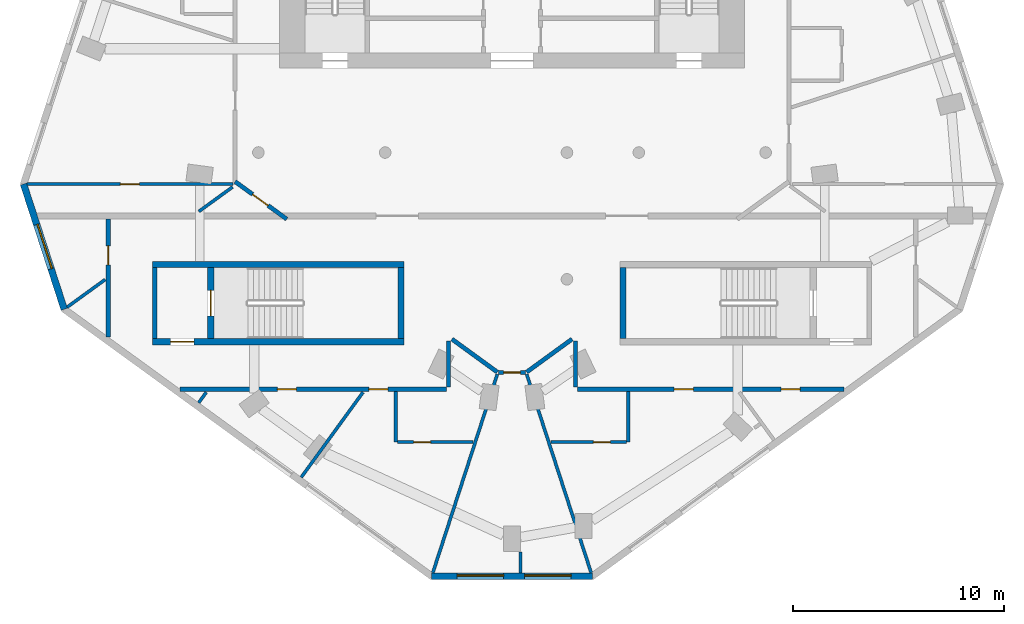
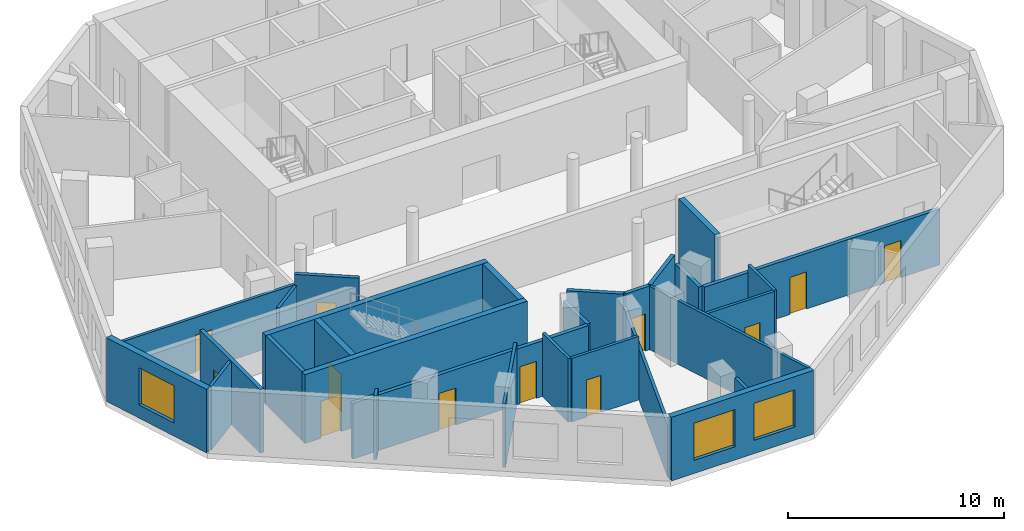
# One storey, part 2 of 8: 29 walls, 12 doors, 3 windows, 15 openings.
"""IFC4 building model written with IfcOpenShell, lengths in metres."""

from ifc_helpers import new_model, si_unit, direction, frame, frame_2d, origin, place, context, subcontext, project, spatial, rectangle, extrude, material, layer, layer_set, type_object, element, fill, save


model = new_model("IFC4")

# Units and contexts
model_context = context("Model", 3, precision=1e-05, world=origin(), true_north=direction((0.0, 1.0)))
body_context = subcontext(model_context, "Body", "Model", "MODEL_VIEW")
ifc_project = project(units=[si_unit("LENGTHUNIT", "METRE"), si_unit("AREAUNIT", "SQUARE_METRE"), si_unit("VOLUMEUNIT", "CUBIC_METRE"), si_unit("PLANEANGLEUNIT", "RADIAN"), si_unit("MASSUNIT", "GRAM", prefix="KILO")], contexts=[model_context])

# Site, building, storey
site_placement = place(None, origin())
site = spatial("IfcSite", under=ifc_project, at=site_placement, CompositionType="ELEMENT")
building_placement = place(site_placement, origin())
building = spatial("IfcBuilding", under=site, at=building_placement, Name="White Candle Pilgrim Tower", CompositionType="ELEMENT")
storey_placement = place(building_placement, frame((0.0, 0.0, 275.60009765625)))
storey = spatial("IfcBuildingStorey", under=building, at=storey_placement, Name="L65", CompositionType="ELEMENT", Elevation=275.60009765625)

# Wall
ifc_material_1 = material(Name="Concrete C50/60", Category="concrete")
ifc_layer_1 = layer(ifc_material_1, 0.199951171875)
ifc_layer_set_1 = layer_set([ifc_layer_1], Name="Core wall 200 mm Concrete C50/60")
wall_type_1 = type_object("IfcWallType", Name="Core wall 200 mm Concrete C50/60", PredefinedType="SHEAR", material=ifc_layer_set_1)
wall_1_placement = place(storey_placement, frame((53.10009765625, 58.199951171875, 0.0), z_axis=(0.0, 0.0, 1.0), x_axis=(0.0, 1.0, 0.0)))
element("IfcWall", 1, at=wall_1_placement, inside=storey, type_object=wall_type_1, Name="WL-L65-C03", PredefinedType="SHEAR", context=body_context, shape_type="SweptSolid", body=[
    extrude(rectangle(XDim=3.35009765625, YDim=0.199951171875, at=frame_2d((1.675048828125, 0.0))), origin(), (0.0, 0.0, 1.0), 3.89990234375),
])

# Wall, opening, door
ifc_material_2 = material(Name="Gypsum board on steel studs", Category="steel")
ifc_layer_2 = layer(ifc_material_2, 0.199951171875)
ifc_layer_set_2 = layer_set([ifc_layer_2], Name="Corridor wall 200 mm EI 45")
wall_type_2 = type_object("IfcWallType", Name="Corridor wall 200 mm EI 45", PredefinedType="PARTITIONING", material=ifc_layer_set_2)
wall_2_placement = place(storey_placement, frame((59.342041015625, 63.85009765625, 0.0), z_axis=(0.0, 0.0, 1.0), x_axis=(-0.809040258859, 0.587753230144, 0.0)))
wall_2 = element("IfcWall", 2, at=wall_2_placement, inside=storey, type_object=wall_type_2, Name="WL-L65-P002", PredefinedType="PARTITIONING", context=body_context, shape_type="SweptSolid", body=[
    extrude(rectangle(XDim=3.0185546875, YDim=0.199951171875, at=frame_2d((1.50927734375, 0.0))), origin(), (0.0, 0.0, 1.0), 3.599853515625),
])
opening_1_placement = place(wall_2_placement, frame((1.092041015625, 0.0, 0.0)))
opening_1 = element("IfcOpeningElement", 3, at=opening_1_placement, cuts=wall_2, Name="Opening T20-123", PredefinedType="OPENING", context=body_context, shape_type="SweptSolid", body=[
    extrude(rectangle(XDim=0.89990234375, YDim=2.10009765625, at=frame_2d((0.449951171875, 1.050048828125))), frame((0.0, 0.10986328125, 0.0), z_axis=(0.0, -1.0, 0.0), x_axis=(1.0, 0.0, 0.0)), (0.0, 0.0, 1.0), 0.219970703125),
])
ifc_material_3 = material(Name="Steel door leaf", Category="steel")
door_type_1 = type_object("IfcDoorType", Name="Fire door 900 x 2100 EI 30", OperationType="NOTDEFINED", PredefinedType="DOOR", material=ifc_material_3)
door_1_placement = place(opening_1_placement, origin())
door_1 = element("IfcDoor", 4, at=door_1_placement, inside=storey, type_object=door_type_1, Name="Door T20-123", OperationType="SINGLE_SWING_LEFT", OverallHeight=2.10009765625, OverallWidth=0.89990234375, PredefinedType="DOOR", context=body_context, shape_type="SweptSolid", body=[
    extrude(rectangle(XDim=0.89990234375, YDim=2.10009765625, at=frame_2d((0.449951171875, 1.050048828125))), frame((0.0, 0.02490234375, 0.0), z_axis=(0.0, -1.0, 0.0), x_axis=(1.0, 0.0, 0.0)), (0.0, 0.0, 1.0), 0.050048828125),
])
fill(opening_1, door_1)

# Wall, openings, doors
wall_3_placement = place(storey_placement, frame((85.706298828125, 55.800048828125, 0.0), z_axis=(0.0, 0.0, 1.0), x_axis=(-1.0, 0.0, 0.0)))
wall_3 = element("IfcWall", 5, at=wall_3_placement, inside=storey, type_object=wall_type_2, Name="WL-L65-P007", PredefinedType="PARTITIONING", context=body_context, shape_type="SweptSolid", body=[
    extrude(rectangle(XDim=12.606201171875, YDim=0.199951171875, at=frame_2d((6.30322265625, 0.0))), origin(), (0.0, 0.0, 1.0), 3.14990234375),
])
opening_2_placement = place(wall_3_placement, frame((7.1298828125, 0.0, 0.0)))
opening_2 = element("IfcOpeningElement", 6, at=opening_2_placement, cuts=wall_3, Name="Opening T20-107", PredefinedType="OPENING", context=body_context, shape_type="SweptSolid", body=[
    extrude(rectangle(XDim=0.89990234375, YDim=2.10009765625, at=frame_2d((0.449951171875, 1.050048828125))), frame((0.0, 0.10986328125, 0.0), z_axis=(0.0, -1.0, 0.0), x_axis=(1.0, 0.0, 0.0)), (0.0, 0.0, 1.0), 0.219970703125),
])
opening_3_placement = place(wall_3_placement, frame((2.076904296875, 0.0, 0.0)))
opening_3 = element("IfcOpeningElement", 7, at=opening_3_placement, cuts=wall_3, Name="Opening T20-108", PredefinedType="OPENING", context=body_context, shape_type="SweptSolid", body=[
    extrude(rectangle(XDim=0.89990234375, YDim=2.10009765625, at=frame_2d((0.449951171875, 1.050048828125))), frame((0.0, 0.10986328125, 0.0), z_axis=(0.0, -1.0, 0.0), x_axis=(1.0, 0.0, 0.0)), (0.0, 0.0, 1.0), 0.219970703125),
])
door_2_placement = place(opening_2_placement, origin())
door_2 = element("IfcDoor", 8, at=door_2_placement, inside=storey, type_object=door_type_1, Name="Door T20-107", OperationType="SINGLE_SWING_LEFT", OverallHeight=2.10009765625, OverallWidth=0.89990234375, PredefinedType="DOOR", context=body_context, shape_type="SweptSolid", body=[
    extrude(rectangle(XDim=0.89990234375, YDim=2.10009765625, at=frame_2d((0.449951171875, 1.050048828125))), frame((0.0, 0.02490234375, 0.0), z_axis=(0.0, -1.0, 0.0), x_axis=(1.0, 0.0, 0.0)), (0.0, 0.0, 1.0), 0.050048828125),
])
fill(opening_2, door_2)
door_3_placement = place(opening_3_placement, origin())
door_3 = element("IfcDoor", 9, at=door_3_placement, inside=storey, type_object=door_type_1, Name="Door T20-108", OperationType="SINGLE_SWING_RIGHT", OverallHeight=2.10009765625, OverallWidth=0.89990234375, PredefinedType="DOOR", context=body_context, shape_type="SweptSolid", body=[
    extrude(rectangle(XDim=0.89990234375, YDim=2.10009765625, at=frame_2d((0.449951171875, 1.050048828125))), frame((0.0, 0.02490234375, 0.0), z_axis=(0.0, -1.0, 0.0), x_axis=(1.0, 0.0, 0.0)), (0.0, 0.0, 1.0), 0.050048828125),
])
fill(opening_3, door_3)

# Walls
wall_4_placement = place(storey_placement, frame((73.0, 55.89990234375, 0.0), z_axis=(0.0, 0.0, 1.0), x_axis=(0.0, 1.0, 0.0)))
element("IfcWall", 10, at=wall_4_placement, inside=storey, type_object=wall_type_2, Name="WL-L65-P008", PredefinedType="PARTITIONING", context=body_context, shape_type="SweptSolid", body=[
    extrude(rectangle(XDim=2.190185546875, YDim=0.199951171875, at=frame_2d((1.09521484375, 0.0))), origin(), (0.0, 0.0, 1.0), 3.099853515625),
])
wall_5_placement = place(storey_placement, frame((72.84130859375, 58.1708984375, 0.0), z_axis=(0.0, 0.0, 1.0), x_axis=(-0.809034251868, -0.587761498657, 0.0)))
element("IfcWall", 11, at=wall_5_placement, inside=storey, type_object=wall_type_2, Name="WL-L65-P009", PredefinedType="PARTITIONING", context=body_context, shape_type="SweptSolid", body=[
    extrude(rectangle(XDim=2.654541015625, YDim=0.199951171875, at=frame_2d((1.3271484375, 0.0))), origin(), (0.0, 0.0, 1.0), 3.599853515625),
])

# Wall, opening, door
wall_6_placement = place(storey_placement, frame((70.635009765625, 56.591552734375, 0.0), z_axis=(0.0, 0.0, 1.0), x_axis=(-1.0, 0.0, 0.0)))
wall_6 = element("IfcWall", 12, at=wall_6_placement, inside=storey, type_object=wall_type_2, Name="WL-L65-P010", PredefinedType="PARTITIONING", context=body_context, shape_type="SweptSolid", body=[
    extrude(rectangle(XDim=1.27001953125, YDim=0.199951171875, at=frame_2d((0.635009765625, 0.0))), origin(), (0.0, 0.0, 1.0), 3.599853515625),
])
opening_4_placement = place(wall_6_placement, frame((0.23486328125, 0.0, 0.0)))
opening_4 = element("IfcOpeningElement", 13, at=opening_4_placement, cuts=wall_6, Name="Opening T20-105", PredefinedType="OPENING", context=body_context, shape_type="SweptSolid", body=[
    extrude(rectangle(XDim=0.800048828125, YDim=2.10009765625, at=frame_2d((0.39990234375, 1.050048828125))), frame((0.0, 0.10986328125, 0.0), z_axis=(0.0, -1.0, 0.0), x_axis=(1.0, 0.0, 0.0)), (0.0, 0.0, 1.0), 0.219970703125),
])
door_type_2 = type_object("IfcDoorType", Name="Fire door 800 x 2100 EI 30", OperationType="NOTDEFINED", PredefinedType="DOOR", material=ifc_material_3)
door_4_placement = place(opening_4_placement, origin())
door_4 = element("IfcDoor", 14, at=door_4_placement, inside=storey, type_object=door_type_2, Name="Door T20-105", OperationType="SINGLE_SWING_LEFT", OverallHeight=2.10009765625, OverallWidth=0.800048828125, PredefinedType="DOOR", context=body_context, shape_type="SweptSolid", body=[
    extrude(rectangle(XDim=0.800048828125, YDim=2.10009765625, at=frame_2d((0.39990234375, 1.050048828125))), frame((0.0, 0.02490234375, 0.0), z_axis=(0.0, -1.0, 0.0), x_axis=(1.0, 0.0, 0.0)), (0.0, 0.0, 1.0), 0.050048828125),
])
fill(opening_4, door_4)

# Walls
wall_7_placement = place(storey_placement, frame((69.306396484375, 56.610595703125, 0.0), z_axis=(0.0, 0.0, 1.0), x_axis=(-0.809034251868, 0.587761498657, 0.0)))
element("IfcWall", 15, at=wall_7_placement, inside=storey, type_object=wall_type_2, Name="WL-L65-P011", PredefinedType="PARTITIONING", context=body_context, shape_type="SweptSolid", body=[
    extrude(rectangle(XDim=2.654541015625, YDim=0.199951171875, at=frame_2d((1.3271484375, 0.0))), origin(), (0.0, 0.0, 1.0), 3.599853515625),
])
wall_8_placement = place(storey_placement, frame((67.0, 58.090087890625, 0.0), z_axis=(0.0, 0.0, 1.0), x_axis=(0.0, -1.0, 0.0)))
element("IfcWall", 16, at=wall_8_placement, inside=storey, type_object=wall_type_2, Name="WL-L65-P012", PredefinedType="PARTITIONING", context=body_context, shape_type="SweptSolid", body=[
    extrude(rectangle(XDim=2.190185546875, YDim=0.199951171875, at=frame_2d((1.09521484375, 0.0))), origin(), (0.0, 0.0, 1.0), 3.099853515625),
])

# Wall, openings, doors
wall_9_placement = place(storey_placement, frame((66.89990234375, 55.800048828125, 0.0), z_axis=(0.0, 0.0, 1.0), x_axis=(-1.0, 0.0, 0.0)))
wall_9 = element("IfcWall", 17, at=wall_9_placement, inside=storey, type_object=wall_type_2, Name="WL-L65-P013", PredefinedType="PARTITIONING", context=body_context, shape_type="SweptSolid", body=[
    extrude(rectangle(XDim=12.606201171875, YDim=0.199951171875, at=frame_2d((6.30322265625, 0.0))), origin(), (0.0, 0.0, 1.0), 3.14990234375),
])
opening_5_placement = place(wall_9_placement, frame((7.1025390625, 0.0, 0.0)))
opening_5 = element("IfcOpeningElement", 18, at=opening_5_placement, cuts=wall_9, Name="Opening T20-102", PredefinedType="OPENING", context=body_context, shape_type="SweptSolid", body=[
    extrude(rectangle(XDim=0.89990234375, YDim=2.10009765625, at=frame_2d((0.449951171875, 1.050048828125))), frame((0.0, 0.10986328125, 0.0), z_axis=(0.0, -1.0, 0.0), x_axis=(1.0, 0.0, 0.0)), (0.0, 0.0, 1.0), 0.219970703125),
])
opening_6_placement = place(wall_9_placement, frame((2.7744140625, 0.0, 0.0)))
opening_6 = element("IfcOpeningElement", 19, at=opening_6_placement, cuts=wall_9, Name="Opening T20-104", PredefinedType="OPENING", context=body_context, shape_type="SweptSolid", body=[
    extrude(rectangle(XDim=0.89990234375, YDim=2.10009765625, at=frame_2d((0.449951171875, 1.050048828125))), frame((0.0, 0.10986328125, 0.0), z_axis=(0.0, -1.0, 0.0), x_axis=(1.0, 0.0, 0.0)), (0.0, 0.0, 1.0), 0.219970703125),
])
door_5_placement = place(opening_5_placement, origin())
door_5 = element("IfcDoor", 20, at=door_5_placement, inside=storey, type_object=door_type_1, Name="Door T20-102", OperationType="SINGLE_SWING_RIGHT", OverallHeight=2.10009765625, OverallWidth=0.89990234375, PredefinedType="DOOR", context=body_context, shape_type="SweptSolid", body=[
    extrude(rectangle(XDim=0.89990234375, YDim=2.10009765625, at=frame_2d((0.449951171875, 1.050048828125))), frame((0.0, 0.02490234375, 0.0), z_axis=(0.0, -1.0, 0.0), x_axis=(1.0, 0.0, 0.0)), (0.0, 0.0, 1.0), 0.050048828125),
])
fill(opening_5, door_5)
door_6_placement = place(opening_6_placement, origin())
door_6 = element("IfcDoor", 21, at=door_6_placement, inside=storey, type_object=door_type_1, Name="Door T20-104", OperationType="SINGLE_SWING_RIGHT", OverallHeight=2.10009765625, OverallWidth=0.89990234375, PredefinedType="DOOR", context=body_context, shape_type="SweptSolid", body=[
    extrude(rectangle(XDim=0.89990234375, YDim=2.10009765625, at=frame_2d((0.449951171875, 1.050048828125))), frame((0.0, 0.02490234375, 0.0), z_axis=(0.0, -1.0, 0.0), x_axis=(1.0, 0.0, 0.0)), (0.0, 0.0, 1.0), 0.050048828125),
])
fill(opening_6, door_6)

# Wall, opening, door
wall_10_placement = place(storey_placement, frame((50.89990234375, 58.265625, 0.0), z_axis=(0.0, 0.0, 1.0), x_axis=(0.0, 1.0, 0.0)))
wall_10 = element("IfcWall", 22, at=wall_10_placement, inside=storey, type_object=wall_type_2, Name="WL-L65-P014", PredefinedType="PARTITIONING", context=body_context, shape_type="SweptSolid", body=[
    extrude(rectangle(XDim=5.58447265625, YDim=0.199951171875, at=frame_2d((2.792236328125, 0.0))), origin(), (0.0, 0.0, 1.0), 3.599853515625),
])
opening_7_placement = place(wall_10_placement, frame((3.41943359375, 0.0, 0.0)))
opening_7 = element("IfcOpeningElement", 23, at=opening_7_placement, cuts=wall_10, Name="Opening T20-113", PredefinedType="OPENING", context=body_context, shape_type="SweptSolid", body=[
    extrude(rectangle(XDim=0.89990234375, YDim=2.10009765625, at=frame_2d((0.449951171875, 1.050048828125))), frame((0.0, 0.10986328125, 0.0), z_axis=(0.0, -1.0, 0.0), x_axis=(1.0, 0.0, 0.0)), (0.0, 0.0, 1.0), 0.219970703125),
])
door_7_placement = place(opening_7_placement, origin())
door_7 = element("IfcDoor", 24, at=door_7_placement, inside=storey, type_object=door_type_1, Name="Door T20-113", OperationType="SINGLE_SWING_LEFT", OverallHeight=2.10009765625, OverallWidth=0.89990234375, PredefinedType="DOOR", context=body_context, shape_type="SweptSolid", body=[
    extrude(rectangle(XDim=0.89990234375, YDim=2.10009765625, at=frame_2d((0.449951171875, 1.050048828125))), frame((0.0, 0.02490234375, 0.0), z_axis=(0.0, -1.0, 0.0), x_axis=(1.0, 0.0, 0.0)), (0.0, 0.0, 1.0), 0.050048828125),
])
fill(opening_7, door_7)

# Wall, opening, window
ifc_material_4 = material(Name="Precast concrete C40/50", Category="concrete")
ifc_layer_3 = layer(ifc_material_4, 0.320068359375)
ifc_layer_set_3 = layer_set([ifc_layer_3], Name="Facade wall EW1 precast concrete C40/50 pier wall with timber-lined reveals")
wall_type_3 = type_object("IfcWallType", Name="Facade wall EW1 precast concrete C40/50 pier wall with timber-lined reveals", PredefinedType="SOLIDWALL", material=ifc_layer_set_3)
wall_11_placement = place(storey_placement, frame((46.8896484375, 65.50634765625, 0.0), z_axis=(0.0, 0.0, 1.0), x_axis=(0.309021364513, -0.95105509634, 0.0)))
wall_11 = element("IfcWall", 25, at=wall_11_placement, inside=storey, type_object=wall_type_3, Name="Facade wall L65 W chamfer", PredefinedType="SOLIDWALL", context=body_context, shape_type="SweptSolid", body=[
    extrude(rectangle(XDim=6.22802734375, YDim=0.320068359375, at=frame_2d((3.114013671875, 0.0))), origin(), (0.0, 0.0, 1.0), 3.599853515625),
])
opening_8_placement = place(wall_11_placement, frame((2.013916015625, 0.0, 0.75)))
opening_8 = element("IfcOpeningElement", 26, at=opening_8_placement, cuts=wall_11, Name="Opening W4", PredefinedType="OPENING", context=body_context, shape_type="SweptSolid", body=[
    extrude(rectangle(XDim=2.199951171875, YDim=2.10009765625, at=frame_2d((1.10009765625, 1.050048828125))), frame((0.0, 0.169921875, 0.0), z_axis=(0.0, -1.0, 0.0), x_axis=(1.0, 0.0, 0.0)), (0.0, 0.0, 1.0), 0.340087890625),
])
ifc_material_5 = material(Name="Timber frame with triple glazing", Category="wood")
window_type = type_object("IfcWindowType", Name="Window W4 2200x2100 timber frame triple glazing", PartitioningType="SINGLE_PANEL", PredefinedType="WINDOW", material=ifc_material_5)
window_1_placement = place(opening_8_placement, origin())
window_1 = element("IfcWindow", 27, at=window_1_placement, inside=storey, type_object=window_type, Name="Window W4 L65 W chamfer 1", OverallHeight=2.10009765625, OverallWidth=2.199951171875, PartitioningType="SINGLE_PANEL", PredefinedType="WINDOW", context=body_context, shape_type="SweptSolid", body=[
    extrude(rectangle(XDim=2.199951171875, YDim=2.10009765625, at=frame_2d((1.10009765625, 1.050048828125))), frame((0.0, 0.070068359375, 0.0), z_axis=(0.0, -1.0, 0.0), x_axis=(1.0, 0.0, 0.0)), (0.0, 0.0, 1.0), 0.06005859375),
])
fill(opening_8, window_1)

# Wall, openings, windows
wall_12_placement = place(storey_placement, frame((66.200439453125, 46.951416015625, 0.0), z_axis=(0.0, 0.0, 1.0), x_axis=(1.0, 0.0, 0.0)))
wall_12 = element("IfcWall", 28, at=wall_12_placement, inside=storey, type_object=wall_type_3, Name="Facade wall L65 S chamfer", PredefinedType="SOLIDWALL", context=body_context, shape_type="SweptSolid", body=[
    extrude(rectangle(XDim=7.59912109375, YDim=0.320068359375, at=frame_2d((3.799560546875, 0.0))), origin(), (0.0, 0.0, 1.0), 3.599853515625),
])
opening_9_placement = place(wall_12_placement, frame((1.19970703125, 0.0, 0.75)))
opening_9 = element("IfcOpeningElement", 29, at=opening_9_placement, cuts=wall_12, Name="Opening W4", PredefinedType="OPENING", context=body_context, shape_type="SweptSolid", body=[
    extrude(rectangle(XDim=2.199951171875, YDim=2.10009765625, at=frame_2d((1.10009765625, 1.050048828125))), frame((0.0, 0.169921875, 0.0), z_axis=(0.0, -1.0, 0.0), x_axis=(1.0, 0.0, 0.0)), (0.0, 0.0, 1.0), 0.340087890625),
])
opening_10_placement = place(wall_12_placement, frame((4.399658203125, 0.0, 0.75)))
opening_10 = element("IfcOpeningElement", 30, at=opening_10_placement, cuts=wall_12, Name="Opening W4", PredefinedType="OPENING", context=body_context, shape_type="SweptSolid", body=[
    extrude(rectangle(XDim=2.199951171875, YDim=2.10009765625, at=frame_2d((1.10009765625, 1.050048828125))), frame((0.0, 0.169921875, 0.0), z_axis=(0.0, -1.0, 0.0), x_axis=(1.0, 0.0, 0.0)), (0.0, 0.0, 1.0), 0.340087890625),
])
window_2_placement = place(opening_9_placement, origin())
window_2 = element("IfcWindow", 31, at=window_2_placement, inside=storey, type_object=window_type, Name="Window W4 L65 S chamfer 1", OverallHeight=2.10009765625, OverallWidth=2.199951171875, PartitioningType="SINGLE_PANEL", PredefinedType="WINDOW", context=body_context, shape_type="SweptSolid", body=[
    extrude(rectangle(XDim=2.199951171875, YDim=2.10009765625, at=frame_2d((1.10009765625, 1.050048828125))), frame((0.0, 0.070068359375, 0.0), z_axis=(0.0, -1.0, 0.0), x_axis=(1.0, 0.0, 0.0)), (0.0, 0.0, 1.0), 0.06005859375),
])
fill(opening_9, window_2)
window_3_placement = place(opening_10_placement, origin())
window_3 = element("IfcWindow", 32, at=window_3_placement, inside=storey, type_object=window_type, Name="Window W4 L65 S chamfer 2", OverallHeight=2.10009765625, OverallWidth=2.199951171875, PartitioningType="SINGLE_PANEL", PredefinedType="WINDOW", context=body_context, shape_type="SweptSolid", body=[
    extrude(rectangle(XDim=2.199951171875, YDim=2.10009765625, at=frame_2d((1.10009765625, 1.050048828125))), frame((0.0, 0.070068359375, 0.0), z_axis=(0.0, -1.0, 0.0), x_axis=(1.0, 0.0, 0.0)), (0.0, 0.0, 1.0), 0.06005859375),
])
fill(opening_10, window_3)

# Wall, opening, door
ifc_layer_4 = layer(ifc_material_2, 0.14990234375)
ifc_layer_set_4 = layer_set([ifc_layer_4], Name="Partition 150 mm EI 60")
wall_type_4 = type_object("IfcWallType", Name="Partition 150 mm EI 60", PredefinedType="PARTITIONING", material=ifc_layer_set_4)
wall_13_placement = place(storey_placement, frame((47.05810546875, 65.506103515625, 0.0), z_axis=(0.0, 0.0, 1.0), x_axis=(1.0, 0.0, 0.0)))
wall_13 = element("IfcWall", 33, at=wall_13_placement, inside=storey, type_object=wall_type_4, Name="WL-L65-P016", PredefinedType="PARTITIONING", context=body_context, shape_type="SweptSolid", body=[
    extrude(rectangle(XDim=9.741943359375, YDim=0.14990234375, at=frame_2d((4.87109375, 0.0))), origin(), (0.0, 0.0, 1.0), 3.099853515625),
])
opening_11_placement = place(wall_13_placement, frame((4.4130859375, 0.0, 0.0)))
opening_11 = element("IfcOpeningElement", 34, at=opening_11_placement, cuts=wall_13, Name="Opening T20-124", PredefinedType="OPENING", context=body_context, shape_type="SweptSolid", body=[
    extrude(rectangle(XDim=0.89990234375, YDim=2.10009765625, at=frame_2d((0.449951171875, 1.050048828125))), frame((0.0, 0.0849609375, 0.0), z_axis=(0.0, -1.0, 0.0), x_axis=(1.0, 0.0, 0.0)), (0.0, 0.0, 1.0), 0.169921875),
])
door_8_placement = place(opening_11_placement, frame((0.89990234375, 0.0, 0.0), z_axis=(0.0, 0.0, 1.0), x_axis=(-1.0, 0.0, 0.0)))
door_8 = element("IfcDoor", 35, at=door_8_placement, inside=storey, type_object=door_type_1, Name="Door T20-124", OperationType="SINGLE_SWING_LEFT", OverallHeight=2.10009765625, OverallWidth=0.89990234375, PredefinedType="DOOR", context=body_context, shape_type="SweptSolid", body=[
    extrude(rectangle(XDim=0.89990234375, YDim=2.10009765625, at=frame_2d((0.449951171875, 1.050048828125))), frame((0.0, 0.02490234375, 0.0), z_axis=(0.0, -1.0, 0.0), x_axis=(1.0, 0.0, 0.0)), (0.0, 0.0, 1.0), 0.050048828125),
])
fill(opening_11, door_8)

# Walls
wall_14_placement = place(storey_placement, frame((48.9501953125, 59.68212890625, 0.0), z_axis=(0.0, 0.0, 1.0), x_axis=(0.809043446495, 0.58774884235, 0.0)))
element("IfcWall", 36, at=wall_14_placement, inside=storey, type_object=wall_type_4, Name="WL-L65-P017", PredefinedType="PARTITIONING", context=body_context, shape_type="SweptSolid", body=[
    extrude(rectangle(XDim=2.23193359375, YDim=0.14990234375, at=frame_2d((1.115966796875, 0.0))), origin(), (0.0, 0.0, 1.0), 3.599853515625),
])
wall_15_placement = place(storey_placement, frame((55.183349609375, 64.210693359375, 0.0), z_axis=(0.0, 0.0, 1.0), x_axis=(0.80900885131, 0.587796460097, 0.0)))
element("IfcWall", 37, at=wall_15_placement, inside=storey, type_object=wall_type_4, Name="WL-L65-P018", PredefinedType="PARTITIONING", context=body_context, shape_type="SweptSolid", body=[
    extrude(rectangle(XDim=1.973388671875, YDim=0.14990234375, at=frame_2d((0.98681640625, 0.0))), origin(), (0.0, 0.0, 1.0), 3.099853515625),
])
wall_16_placement = place(storey_placement, frame((66.25244140625, 47.111572265625, 0.0), z_axis=(0.0, 0.0, 1.0), x_axis=(0.309022391452, 0.951054762661, 0.0)))
element("IfcWall", 38, at=wall_16_placement, inside=storey, type_object=wall_type_4, Name="WL-L65-P019", PredefinedType="PARTITIONING", context=body_context, shape_type="SweptSolid", body=[
    extrude(rectangle(XDim=9.882568359375, YDim=0.14990234375, at=frame_2d((4.94140625, 0.0))), origin(), (0.0, 0.0, 1.0), 2.89990234375),
])
wall_17_placement = place(storey_placement, frame((73.74755859375, 47.111572265625, 0.0), z_axis=(0.0, 0.0, 1.0), x_axis=(-0.309022391452, 0.951054762661, 0.0)))
element("IfcWall", 39, at=wall_17_placement, inside=storey, type_object=wall_type_4, Name="WL-L65-P020", PredefinedType="PARTITIONING", context=body_context, shape_type="SweptSolid", body=[
    extrude(rectangle(XDim=9.882568359375, YDim=0.14990234375, at=frame_2d((4.94140625, 0.0))), origin(), (0.0, 0.0, 1.0), 3.599853515625),
])
wall_18_placement = place(storey_placement, frame((55.17431640625, 55.16015625, 0.0), z_axis=(0.0, 0.0, 1.0), x_axis=(0.587626737585, 0.809132138328, 0.0)))
element("IfcWall", 40, at=wall_18_placement, inside=storey, type_object=wall_type_4, Name="WL-L65-P029", PredefinedType="PARTITIONING", context=body_context, shape_type="SweptSolid", body=[
    extrude(rectangle(XDim=0.61279296875, YDim=0.14990234375, at=frame_2d((0.306396484375, 0.0))), origin(), (0.0, 0.0, 1.0), 3.599853515625),
])
wall_19_placement = place(storey_placement, frame((60.0283203125, 51.633544921875, 0.0), z_axis=(0.0, 0.0, 1.0), x_axis=(0.587800848895, 0.80900566255, 0.0)))
element("IfcWall", 41, at=wall_19_placement, inside=storey, type_object=wall_type_4, Name="WL-L65-P030", PredefinedType="PARTITIONING", context=body_context, shape_type="SweptSolid", body=[
    extrude(rectangle(XDim=4.97216796875, YDim=0.14990234375, at=frame_2d((2.486083984375, 0.0))), origin(), (0.0, 0.0, 1.0), 3.599853515625),
])
wall_20_placement = place(storey_placement, frame((64.5, 55.699951171875, 0.0), z_axis=(0.0, 0.0, 1.0), x_axis=(0.0, -1.0, 0.0)))
element("IfcWall", 42, at=wall_20_placement, inside=storey, type_object=wall_type_4, Name="WL-L65-P031", PredefinedType="PARTITIONING", context=body_context, shape_type="SweptSolid", body=[
    extrude(rectangle(XDim=2.39990234375, YDim=0.14990234375, at=frame_2d((1.199951171875, 0.0))), origin(), (0.0, 0.0, 1.0), 3.599853515625),
])

# Wall, opening, door
wall_21_placement = place(storey_placement, frame((68.159912109375, 53.300048828125, 0.0), z_axis=(0.0, 0.0, 1.0), x_axis=(-1.0, 0.0, 0.0)))
wall_21 = element("IfcWall", 43, at=wall_21_placement, inside=storey, type_object=wall_type_4, Name="WL-L65-P032", PredefinedType="PARTITIONING", context=body_context, shape_type="SweptSolid", body=[
    extrude(rectangle(XDim=3.5849609375, YDim=0.14990234375, at=frame_2d((1.79248046875, 0.0))), origin(), (0.0, 0.0, 1.0), 3.599853515625),
])
opening_12_placement = place(wall_21_placement, frame((2.010009765625, 0.0, 0.0)))
opening_12 = element("IfcOpeningElement", 44, at=opening_12_placement, cuts=wall_21, Name="Opening T20-103", PredefinedType="OPENING", context=body_context, shape_type="SweptSolid", body=[
    extrude(rectangle(XDim=0.800048828125, YDim=2.10009765625, at=frame_2d((0.39990234375, 1.050048828125))), frame((0.0, 0.0849609375, 0.0), z_axis=(0.0, -1.0, 0.0), x_axis=(1.0, 0.0, 0.0)), (0.0, 0.0, 1.0), 0.169921875),
])
door_9_placement = place(opening_12_placement, origin())
door_9 = element("IfcDoor", 45, at=door_9_placement, inside=storey, type_object=door_type_2, Name="Door T20-103", OperationType="SINGLE_SWING_LEFT", OverallHeight=2.10009765625, OverallWidth=0.800048828125, PredefinedType="DOOR", context=body_context, shape_type="SweptSolid", body=[
    extrude(rectangle(XDim=0.800048828125, YDim=2.10009765625, at=frame_2d((0.39990234375, 1.050048828125))), frame((0.0, 0.02490234375, 0.0), z_axis=(0.0, -1.0, 0.0), x_axis=(1.0, 0.0, 0.0)), (0.0, 0.0, 1.0), 0.050048828125),
])
fill(opening_12, door_9)

# Wall
wall_22_placement = place(storey_placement, frame((75.5, 55.699951171875, 0.0), z_axis=(0.0, 0.0, 1.0), x_axis=(0.0, -1.0, 0.0)))
element("IfcWall", 46, at=wall_22_placement, inside=storey, type_object=wall_type_4, Name="WL-L65-P034", PredefinedType="PARTITIONING", context=body_context, shape_type="SweptSolid", body=[
    extrude(rectangle(XDim=2.39990234375, YDim=0.14990234375, at=frame_2d((1.199951171875, 0.0))), origin(), (0.0, 0.0, 1.0), 3.599853515625),
])

# Wall, opening, door
wall_23_placement = place(storey_placement, frame((71.840087890625, 53.300048828125, 0.0), z_axis=(0.0, 0.0, 1.0), x_axis=(1.0, 0.0, 0.0)))
wall_23 = element("IfcWall", 47, at=wall_23_placement, inside=storey, type_object=wall_type_4, Name="WL-L65-P035", PredefinedType="PARTITIONING", context=body_context, shape_type="SweptSolid", body=[
    extrude(rectangle(XDim=3.5849609375, YDim=0.14990234375, at=frame_2d((1.79248046875, 0.0))), origin(), (0.0, 0.0, 1.0), 3.599853515625),
])
opening_13_placement = place(wall_23_placement, frame((2.010009765625, 0.0, 0.0)))
opening_13 = element("IfcOpeningElement", 48, at=opening_13_placement, cuts=wall_23, Name="Opening T20-106", PredefinedType="OPENING", context=body_context, shape_type="SweptSolid", body=[
    extrude(rectangle(XDim=0.800048828125, YDim=2.10009765625, at=frame_2d((0.39990234375, 1.050048828125))), frame((0.0, 0.0849609375, 0.0), z_axis=(0.0, -1.0, 0.0), x_axis=(1.0, 0.0, 0.0)), (0.0, 0.0, 1.0), 0.169921875),
])
door_10_placement = place(opening_13_placement, frame((0.800048828125, 0.0, 0.0), z_axis=(0.0, 0.0, 1.0), x_axis=(-1.0, 0.0, 0.0)))
door_10 = element("IfcDoor", 49, at=door_10_placement, inside=storey, type_object=door_type_2, Name="Door T20-106", OperationType="SINGLE_SWING_LEFT", OverallHeight=2.10009765625, OverallWidth=0.800048828125, PredefinedType="DOOR", context=body_context, shape_type="SweptSolid", body=[
    extrude(rectangle(XDim=0.800048828125, YDim=2.10009765625, at=frame_2d((0.39990234375, 1.050048828125))), frame((0.0, 0.02490234375, 0.0), z_axis=(0.0, -1.0, 0.0), x_axis=(1.0, 0.0, 0.0)), (0.0, 0.0, 1.0), 0.050048828125),
])
fill(opening_13, door_10)

# Wall
wall_24_placement = place(storey_placement, frame((70.409912109375, 48.10009765625, 0.0), z_axis=(0.0, 0.0, 1.0), x_axis=(0.0, -1.0, 0.0)))
element("IfcWall", 50, at=wall_24_placement, inside=storey, type_object=wall_type_4, Name="WL-L65-P044", PredefinedType="PARTITIONING", context=body_context, shape_type="SweptSolid", body=[
    extrude(rectangle(XDim=0.988525390625, YDim=0.14990234375, at=frame_2d((0.494140625, 0.0))), origin(), (0.0, 0.0, 1.0), 3.599853515625),
])

# Wall, opening, door
ifc_layer_5 = layer(ifc_material_1, 0.300048828125)
ifc_layer_set_5 = layer_set([ifc_layer_5], Name="Stair shaft wall 300 mm Concrete C50/60")
wall_type_5 = type_object("IfcWallType", Name="Stair shaft wall 300 mm Concrete C50/60", PredefinedType="SHEAR", material=ifc_layer_set_5)
wall_25_placement = place(storey_placement, frame((53.0, 58.050048828125, 0.0), z_axis=(0.0, 0.0, 1.0), x_axis=(1.0, 0.0, 0.0)))
wall_25 = element("IfcWall", 51, at=wall_25_placement, inside=storey, type_object=wall_type_5, Name="WL-L65-C01", PredefinedType="SHEAR", context=body_context, shape_type="SweptSolid", body=[
    extrude(rectangle(XDim=11.89990234375, YDim=0.300048828125, at=frame_2d((5.949951171875, 0.0))), origin(), (0.0, 0.0, 1.0), 3.89990234375),
])
opening_14_placement = place(wall_25_placement, frame((0.85009765625, 0.0, 0.0)))
opening_14 = element("IfcOpeningElement", 52, at=opening_14_placement, cuts=wall_25, Name="Opening T20-011", PredefinedType="OPENING", context=body_context, shape_type="SweptSolid", body=[
    extrude(rectangle(XDim=1.10009765625, YDim=2.10009765625, at=frame_2d((0.550048828125, 1.050048828125))), frame((0.0, 0.159912109375, 0.0), z_axis=(0.0, -1.0, 0.0), x_axis=(1.0, 0.0, 0.0)), (0.0, 0.0, 1.0), 0.320068359375),
])
door_type_3 = type_object("IfcDoorType", Name="Fire door 1100 x 2100 EI 60", OperationType="NOTDEFINED", PredefinedType="DOOR", material=ifc_material_3)
door_11_placement = place(opening_14_placement, origin())
door_11 = element("IfcDoor", 53, at=door_11_placement, inside=storey, type_object=door_type_3, Name="Door T20-011", OperationType="SINGLE_SWING_LEFT", OverallHeight=2.10009765625, OverallWidth=1.10009765625, PredefinedType="DOOR", context=body_context, shape_type="SweptSolid", body=[
    extrude(rectangle(XDim=1.10009765625, YDim=2.10009765625, at=frame_2d((0.550048828125, 1.050048828125))), frame((0.0, 0.02490234375, 0.0), z_axis=(0.0, -1.0, 0.0), x_axis=(1.0, 0.0, 0.0)), (0.0, 0.0, 1.0), 0.050048828125),
])
fill(opening_14, door_11)

wall_26_placement = place(storey_placement, frame((55.75, 58.199951171875, 0.0), z_axis=(0.0, 0.0, 1.0), x_axis=(0.0, 1.0, 0.0)))
wall_26 = element("IfcWall", 54, at=wall_26_placement, inside=storey, type_object=wall_type_5, Name="WL-L65-C04", PredefinedType="SHEAR", context=body_context, shape_type="SweptSolid", body=[
    extrude(rectangle(XDim=3.35009765625, YDim=0.300048828125, at=frame_2d((1.675048828125, 0.0))), origin(), (0.0, 0.0, 1.0), 3.89990234375),
])
opening_15_placement = place(wall_26_placement, frame((1.074951171875, 0.0, 0.0)))
opening_15 = element("IfcOpeningElement", 55, at=opening_15_placement, cuts=wall_26, Name="Opening T20-012", PredefinedType="OPENING", context=body_context, shape_type="SweptSolid", body=[
    extrude(rectangle(XDim=1.199951171875, YDim=2.10009765625, at=frame_2d((0.60009765625, 1.050048828125))), frame((0.0, 0.159912109375, 0.0), z_axis=(0.0, -1.0, 0.0), x_axis=(1.0, 0.0, 0.0)), (0.0, 0.0, 1.0), 0.320068359375),
])
door_type_4 = type_object("IfcDoorType", Name="Fire door 1200 x 2100 EI 60", OperationType="NOTDEFINED", PredefinedType="DOOR", material=ifc_material_3)
door_12_placement = place(opening_15_placement, frame((1.199951171875, 0.0, 0.0), z_axis=(0.0, 0.0, 1.0), x_axis=(-1.0, 0.0, 0.0)))
door_12 = element("IfcDoor", 56, at=door_12_placement, inside=storey, type_object=door_type_4, Name="Door T20-012", OperationType="SINGLE_SWING_LEFT", OverallHeight=2.10009765625, OverallWidth=1.199951171875, PredefinedType="DOOR", context=body_context, shape_type="SweptSolid", body=[
    extrude(rectangle(XDim=1.199951171875, YDim=2.10009765625, at=frame_2d((0.60009765625, 1.050048828125))), frame((0.0, 0.02490234375, 0.0), z_axis=(0.0, -1.0, 0.0), x_axis=(1.0, 0.0, 0.0)), (0.0, 0.0, 1.0), 0.050048828125),
])
fill(opening_15, door_12)

# Walls
for number, where, z_axis, x_axis, name in (
    (57, (64.75, 58.199951171875, 0.0), (0.0, 0.0, 1.0), (0.0, 1.0, 0.0), "WL-L65-C05"),
    (58, (75.25, 58.199951171875, 0.0), (0.0, 0.0, 1.0), (0.0, 1.0, 0.0), "WL-L65-C06"),
):
    element("IfcWall", number, at=place(storey_placement, frame(where, z_axis=z_axis, x_axis=x_axis)), inside=storey, type_object=wall_type_5, Name=name, PredefinedType="SHEAR", context=body_context, shape_type="SweptSolid", body=[
        extrude(rectangle(XDim=3.35009765625, YDim=0.300048828125, at=frame_2d((1.675048828125, 0.0))), origin(), (0.0, 0.0, 1.0), 3.89990234375),
    ])
wall_27_placement = place(storey_placement, frame((53.0, 61.699951171875, 0.0), z_axis=(0.0, 0.0, 1.0), x_axis=(1.0, 0.0, 0.0)))
element("IfcWall", 59, at=wall_27_placement, inside=storey, type_object=wall_type_5, Name="WL-L65-C09", PredefinedType="SHEAR", context=body_context, shape_type="SweptSolid", body=[
    extrude(rectangle(XDim=11.89990234375, YDim=0.300048828125, at=frame_2d((5.949951171875, 0.0))), origin(), (0.0, 0.0, 1.0), 3.89990234375),
])

save(model, "model.ifc")
